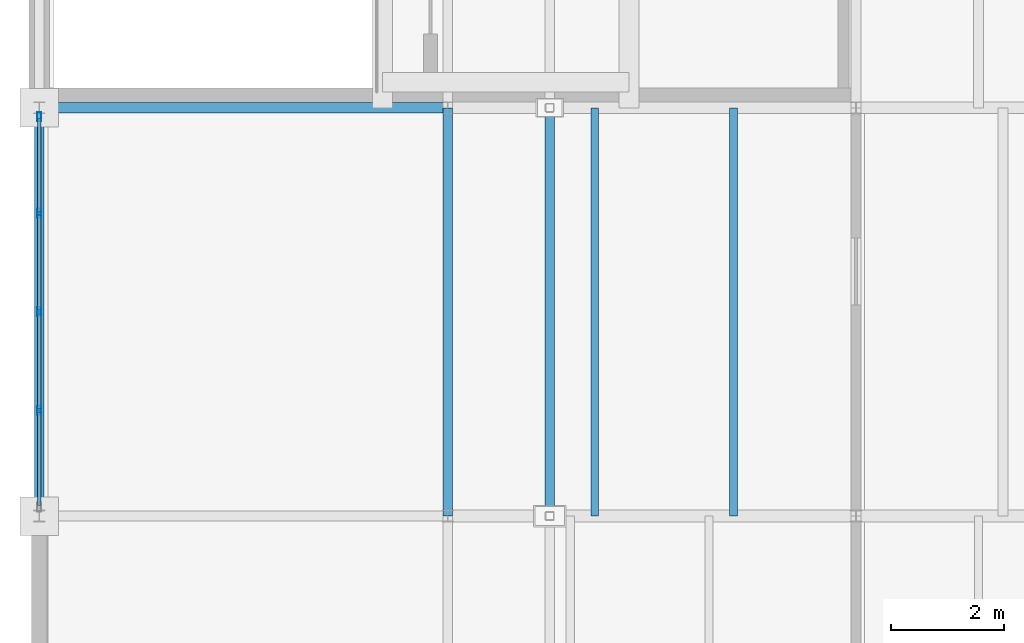
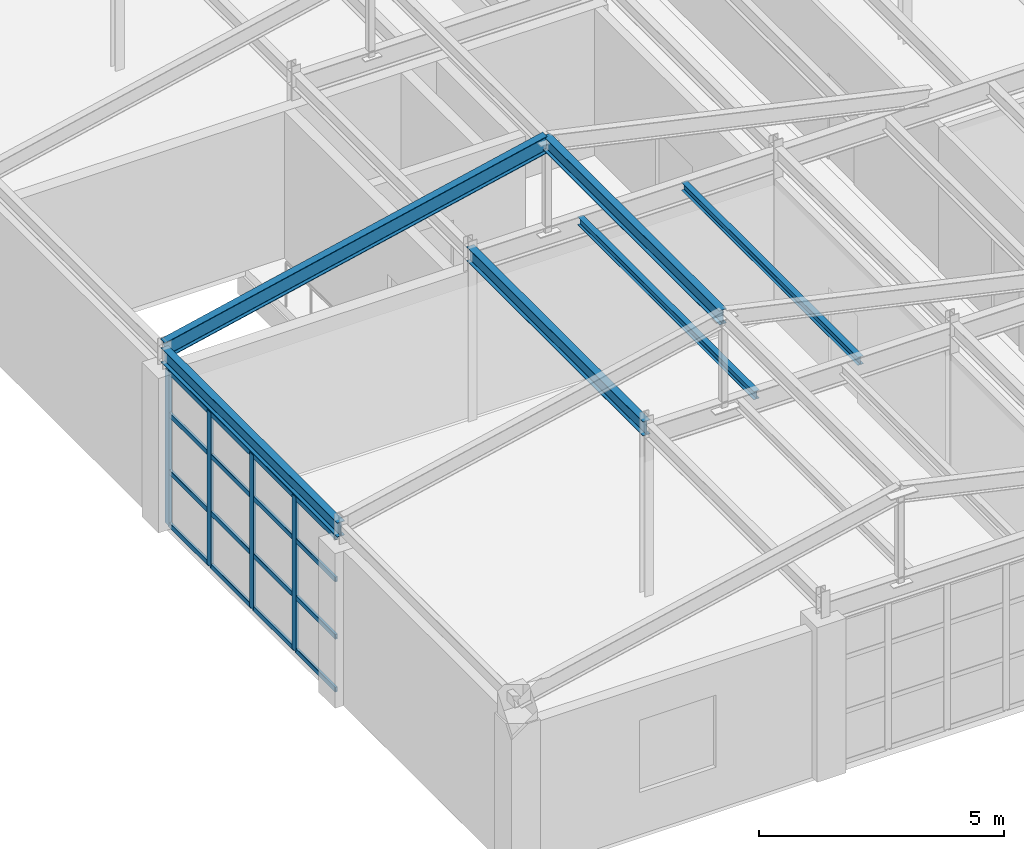
# One storey, part 10 of 43: 20 members, 6 beams, 1 element without a shape of its own.
"""IFC4 building model written with IfcOpenShell, lengths in metres."""

from ifc_helpers import new_model, si_unit, direction, frame, origin, origin_2d, place, context, subcontext, project, spatial, hollow_rectangle, i_section, extrude, material, layer, layer_set, material_profile, profile_set, type_object, element, aggregate, save


model = new_model("IFC4")

# Units and contexts
model_context = context("Model", 3, precision=1e-05, world=origin(), true_north=direction((0.0, 1.0)))
body_context = subcontext(model_context, "Body", "Model", "MODEL_VIEW")
ifc_project = project(units=[si_unit("LENGTHUNIT", "METRE"), si_unit("AREAUNIT", "SQUARE_METRE"), si_unit("VOLUMEUNIT", "CUBIC_METRE"), si_unit("PLANEANGLEUNIT", "RADIAN"), si_unit("MASSUNIT", "GRAM", prefix="KILO")], contexts=[model_context])

# Site, building, storey
site_placement = place(None, origin())
site = spatial("IfcSite", under=ifc_project, at=site_placement, CompositionType="ELEMENT")
building_placement = place(site_placement, origin())
building = spatial("IfcBuilding", under=site, at=building_placement, Name="Kemerveld Promenade Tramway Depot", CompositionType="ELEMENT")
storey_placement = place(building_placement, frame((0.0, 0.0, 18.89990234375)))
storey = spatial("IfcBuildingStorey", under=building, at=storey_placement, Name="L04", CompositionType="ELEMENT", Elevation=18.89990234375)

# Beams
ifc_material_1 = material(Name="Steel S355", Category="steel")
ifc_material_profile_1 = material_profile(ifc_material_1, i_section(OverallWidth=0.1787109375, OverallDepth=0.409423828125, WebThickness=0.0087890625, FlangeThickness=0.014404296875, FilletRadius=0.01025390625, at=origin_2d()), Name="406x178x67 UB")
ifc_profile_set_1 = profile_set([ifc_material_profile_1], Name="Steel S355")
beam_type_1 = type_object("IfcBeamType", Name="BM-G07", PredefinedType="BEAM", material=ifc_profile_set_1)
beam_placement = place(storey_placement, frame((0.0, 14.39990234375, 4.275390625), z_axis=(0.976187060184, 0.0, 0.216930457819), x_axis=(0.0, 1.0, 0.0)))
element("IfcBeam", 1, at=beam_placement, inside=storey, type_object=beam_type_1, Name="RAF-V5-C-W", PredefinedType="BEAM", context=body_context, shape_type="SweptSolid", body=[
    extrude(i_section(OverallWidth=0.1787109375, OverallDepth=0.409423828125, WebThickness=0.0087890625, FlangeThickness=0.014404296875, FilletRadius=0.01025390625, at=origin_2d()), origin(), (0.0, 0.0, 1.0), 9.219482421875),
])
ifc_material_profile_2 = material_profile(ifc_material_1, i_section(OverallWidth=0.172119140625, OverallDepth=0.35791015625, WebThickness=0.008056640625, FlangeThickness=0.012939453125, FilletRadius=0.01025390625, at=origin_2d()), Name="356x171x57 UB")
ifc_profile_set_2 = profile_set([ifc_material_profile_2], Name="Steel S355")
beam_type_2 = type_object("IfcBeamType", Name="BM-G08", PredefinedType="BEAM", material=ifc_profile_set_2)
for number, where, z_axis, x_axis, name in (
    (2, (0.0, 7.199951171875, 4.14111328125), (0.0, 1.0, 0.0), (-1.0, 0.0, 0.0), "BMY-L04-01-B-C"),
    (3, (7.199951171875, 7.199951171875, 4.14111328125), (0.0, 1.0, 0.0), (-1.0, 0.0, 0.0), "BMY-L04-02-B-C"),
    (4, (9.0, 7.199951171875, 6.275390625), (0.0, 1.0, 0.0), (-1.0, 0.0, 0.0), "BM-RDG-V5-2"),
):
    element("IfcBeam", number, at=place(storey_placement, frame(where, z_axis=z_axis, x_axis=x_axis)), inside=storey, type_object=beam_type_2, Name=name, PredefinedType="BEAM", context=body_context, shape_type="SweptSolid", body=[
        extrude(i_section(OverallWidth=0.172119140625, OverallDepth=0.35791015625, WebThickness=0.008056640625, FlangeThickness=0.012939453125, FilletRadius=0.01025390625, at=origin_2d()), origin(), (0.0, 0.0, 1.0), 7.199951171875),
    ])
ifc_material_profile_3 = material_profile(ifc_material_1, i_section(OverallWidth=0.13330078125, OverallDepth=0.203125, WebThickness=0.005615234375, FlangeThickness=0.0078125, FilletRadius=0.007568359375, at=origin_2d()), Name="203x133x25 UB")
ifc_profile_set_3 = profile_set([ifc_material_profile_3], Name="Steel S355")
beam_type_3 = type_object("IfcBeamType", Name="BM-J03", PredefinedType="JOIST", material=ifc_profile_set_3)
for number, where, z_axis, x_axis, name in (
    (5, (9.7919921875, 7.199951171875, 4.053466796875), (0.0, 1.0, 0.0), (-1.0, 0.0, 0.0), "JST-L04-02-B-1"),
    (6, (12.239990234375, 7.199951171875, 4.053466796875), (0.0, 1.0, 0.0), (-1.0, 0.0, 0.0), "JST-L04-02-B-2"),
):
    element("IfcBeam", number, at=place(storey_placement, frame(where, z_axis=z_axis, x_axis=x_axis)), inside=storey, type_object=beam_type_3, Name=name, PredefinedType="JOIST", context=body_context, shape_type="SweptSolid", body=[
        extrude(i_section(OverallWidth=0.13330078125, OverallDepth=0.203125, WebThickness=0.005615234375, FlangeThickness=0.0078125, FilletRadius=0.007568359375, at=origin_2d()), origin(), (0.0, 0.0, 1.0), 7.199951171875),
    ])

# Curtain wall, members
ifc_material_2 = material(Name="Bronze anodised aluminium and solar glass", Category="aluminium")
ifc_layer = layer(ifc_material_2, 0.159912109375)
ifc_layer_set = layer_set([ifc_layer], Name="CW-SYS-05")
curtain_wall_type = type_object("IfcCurtainWallType", Name="CW-SYS-05", PredefinedType="USERDEFINED", material=ifc_layer_set)
curtain_wall_placement = place(storey_placement, origin())
curtain_wall = element("IfcCurtainWall", 7, at=curtain_wall_placement, inside=storey, type_object=curtain_wall_type, Name="CW-L04-V5W-02", ObjectType="GLAZED_CURTAIN_WALL", PredefinedType="USERDEFINED")
ifc_material_3 = material(Name="Bronze anodised aluminium", Category="aluminium")
ifc_material_profile_4 = material_profile(ifc_material_3, hollow_rectangle(XDim=0.06494140625, YDim=0.159912109375, WallThickness=0.00390625, InnerFilletRadius=0.001953125, OuterFilletRadius=0.00390625, at=origin_2d()), Name="CW-MUL-160x65")
ifc_profile_set_4 = profile_set([ifc_material_profile_4], Name="Bronze anodised aluminium")
member_type_1 = type_object("IfcMemberType", Name="CW-MUL-A", PredefinedType="MULLION", material=ifc_profile_set_4)
member_1_placement = place(storey_placement, frame((0.0, 9.0625, 0.0), z_axis=(0.0, 0.0, 1.0), x_axis=(-1.0, 0.0, 0.0)))
member_1 = element("IfcMember", 8, at=member_1_placement, type_object=member_type_1, Name="CW05 mullion 2", PredefinedType="MULLION", context=body_context, shape_type="SweptSolid", body=[
    extrude(hollow_rectangle(XDim=0.06494140625, YDim=0.159912109375, WallThickness=0.00390625, InnerFilletRadius=0.001953125, OuterFilletRadius=0.00390625, at=origin_2d()), origin(), (0.0, 0.0, 1.0), 3.85009765625),
])
member_2_placement = place(storey_placement, frame((0.0, 10.800048828125, 0.0), z_axis=(0.0, 0.0, 1.0), x_axis=(-1.0, 0.0, 0.0)))
member_2 = element("IfcMember", 9, at=member_2_placement, type_object=member_type_1, Name="CW05 mullion 3", PredefinedType="MULLION", context=body_context, shape_type="SweptSolid", body=[
    extrude(hollow_rectangle(XDim=0.06494140625, YDim=0.159912109375, WallThickness=0.00390625, InnerFilletRadius=0.001953125, OuterFilletRadius=0.00390625, at=origin_2d()), origin(), (0.0, 0.0, 1.0), 3.85009765625),
])
member_3_placement = place(storey_placement, frame((0.0, 12.53759765625, 0.0), z_axis=(0.0, 0.0, 1.0), x_axis=(-1.0, 0.0, 0.0)))
member_3 = element("IfcMember", 10, at=member_3_placement, type_object=member_type_1, Name="CW05 mullion 4", PredefinedType="MULLION", context=body_context, shape_type="SweptSolid", body=[
    extrude(hollow_rectangle(XDim=0.06494140625, YDim=0.159912109375, WallThickness=0.00390625, InnerFilletRadius=0.001953125, OuterFilletRadius=0.00390625, at=origin_2d()), origin(), (0.0, 0.0, 1.0), 3.85009765625),
])
member_4_placement = place(storey_placement, frame((0.0, 14.24267578125, 0.0), z_axis=(0.0, 0.0, 1.0), x_axis=(-1.0, 0.0, 0.0)))
member_4 = element("IfcMember", 11, at=member_4_placement, type_object=member_type_1, Name="CW05 mullion 5", PredefinedType="MULLION", context=body_context, shape_type="SweptSolid", body=[
    extrude(hollow_rectangle(XDim=0.06494140625, YDim=0.159912109375, WallThickness=0.00390625, InnerFilletRadius=0.001953125, OuterFilletRadius=0.00390625, at=origin_2d()), origin(), (0.0, 0.0, 1.0), 3.85009765625),
])
ifc_material_profile_5 = material_profile(ifc_material_3, hollow_rectangle(XDim=0.06005859375, YDim=0.1201171875, WallThickness=0.00390625, InnerFilletRadius=0.001953125, OuterFilletRadius=0.00390625, at=origin_2d()), Name="CW-TRN-120x60")
ifc_profile_set_5 = profile_set([ifc_material_profile_5], Name="Bronze anodised aluminium")
member_type_2 = type_object("IfcMemberType", Name="CW-TRN-A", PredefinedType="USERDEFINED", material=ifc_profile_set_5)
member_5_placement = place(storey_placement, frame((0.0, 7.389892578125, 0.030029296875), z_axis=(0.0, 1.0, 0.0), x_axis=(-1.0, 0.0, 0.0)))
member_5 = element("IfcMember", 12, at=member_5_placement, type_object=member_type_2, Name="CW05 transom 1.1", ObjectType="TRANSOM", PredefinedType="USERDEFINED", context=body_context, shape_type="SweptSolid", body=[
    extrude(hollow_rectangle(XDim=0.06005859375, YDim=0.1201171875, WallThickness=0.00390625, InnerFilletRadius=0.001953125, OuterFilletRadius=0.00390625, at=origin_2d()), origin(), (0.0, 0.0, 1.0), 1.639892578125),
])
member_6_placement = place(storey_placement, frame((0.0, 7.389892578125, 1.34716796875), z_axis=(0.0, 1.0, 0.0), x_axis=(-1.0, 0.0, 0.0)))
member_6 = element("IfcMember", 13, at=member_6_placement, type_object=member_type_2, Name="CW05 transom 1.2", ObjectType="TRANSOM", PredefinedType="USERDEFINED", context=body_context, shape_type="SweptSolid", body=[
    extrude(hollow_rectangle(XDim=0.06005859375, YDim=0.1201171875, WallThickness=0.00390625, InnerFilletRadius=0.001953125, OuterFilletRadius=0.00390625, at=origin_2d()), origin(), (0.0, 0.0, 1.0), 1.639892578125),
])
member_7_placement = place(storey_placement, frame((0.0, 7.389892578125, 2.772216796875), z_axis=(0.0, 1.0, 0.0), x_axis=(-1.0, 0.0, 0.0)))
member_7 = element("IfcMember", 14, at=member_7_placement, type_object=member_type_2, Name="CW05 transom 1.3", ObjectType="TRANSOM", PredefinedType="USERDEFINED", context=body_context, shape_type="SweptSolid", body=[
    extrude(hollow_rectangle(XDim=0.06005859375, YDim=0.1201171875, WallThickness=0.00390625, InnerFilletRadius=0.001953125, OuterFilletRadius=0.00390625, at=origin_2d()), origin(), (0.0, 0.0, 1.0), 1.639892578125),
])
member_8_placement = place(storey_placement, frame((0.0, 7.389892578125, 3.820068359375), z_axis=(0.0, 1.0, 0.0), x_axis=(-1.0, 0.0, 0.0)))
member_8 = element("IfcMember", 15, at=member_8_placement, type_object=member_type_2, Name="CW05 transom 1.4", ObjectType="TRANSOM", PredefinedType="USERDEFINED", context=body_context, shape_type="SweptSolid", body=[
    extrude(hollow_rectangle(XDim=0.06005859375, YDim=0.1201171875, WallThickness=0.00390625, InnerFilletRadius=0.001953125, OuterFilletRadius=0.00390625, at=origin_2d()), origin(), (0.0, 0.0, 1.0), 1.639892578125),
])
member_9_placement = place(storey_placement, frame((0.0, 9.094970703125, 0.030029296875), z_axis=(0.0, 1.0, 0.0), x_axis=(-1.0, 0.0, 0.0)))
member_9 = element("IfcMember", 16, at=member_9_placement, type_object=member_type_2, Name="CW05 transom 2.1", ObjectType="TRANSOM", PredefinedType="USERDEFINED", context=body_context, shape_type="SweptSolid", body=[
    extrude(hollow_rectangle(XDim=0.06005859375, YDim=0.1201171875, WallThickness=0.00390625, InnerFilletRadius=0.001953125, OuterFilletRadius=0.00390625, at=origin_2d()), origin(), (0.0, 0.0, 1.0), 1.672607421875),
])
member_10_placement = place(storey_placement, frame((0.0, 9.094970703125, 1.34716796875), z_axis=(0.0, 1.0, 0.0), x_axis=(-1.0, 0.0, 0.0)))
member_10 = element("IfcMember", 17, at=member_10_placement, type_object=member_type_2, Name="CW05 transom 2.2", ObjectType="TRANSOM", PredefinedType="USERDEFINED", context=body_context, shape_type="SweptSolid", body=[
    extrude(hollow_rectangle(XDim=0.06005859375, YDim=0.1201171875, WallThickness=0.00390625, InnerFilletRadius=0.001953125, OuterFilletRadius=0.00390625, at=origin_2d()), origin(), (0.0, 0.0, 1.0), 1.672607421875),
])
member_11_placement = place(storey_placement, frame((0.0, 9.094970703125, 2.772216796875), z_axis=(0.0, 1.0, 0.0), x_axis=(-1.0, 0.0, 0.0)))
member_11 = element("IfcMember", 18, at=member_11_placement, type_object=member_type_2, Name="CW05 transom 2.3", ObjectType="TRANSOM", PredefinedType="USERDEFINED", context=body_context, shape_type="SweptSolid", body=[
    extrude(hollow_rectangle(XDim=0.06005859375, YDim=0.1201171875, WallThickness=0.00390625, InnerFilletRadius=0.001953125, OuterFilletRadius=0.00390625, at=origin_2d()), origin(), (0.0, 0.0, 1.0), 1.672607421875),
])
member_12_placement = place(storey_placement, frame((0.0, 9.094970703125, 3.820068359375), z_axis=(0.0, 1.0, 0.0), x_axis=(-1.0, 0.0, 0.0)))
member_12 = element("IfcMember", 19, at=member_12_placement, type_object=member_type_2, Name="CW05 transom 2.4", ObjectType="TRANSOM", PredefinedType="USERDEFINED", context=body_context, shape_type="SweptSolid", body=[
    extrude(hollow_rectangle(XDim=0.06005859375, YDim=0.1201171875, WallThickness=0.00390625, InnerFilletRadius=0.001953125, OuterFilletRadius=0.00390625, at=origin_2d()), origin(), (0.0, 0.0, 1.0), 1.672607421875),
])
member_13_placement = place(storey_placement, frame((0.0, 10.83251953125, 0.030029296875), z_axis=(0.0, 1.0, 0.0), x_axis=(-1.0, 0.0, 0.0)))
member_13 = element("IfcMember", 20, at=member_13_placement, type_object=member_type_2, Name="CW05 transom 3.1", ObjectType="TRANSOM", PredefinedType="USERDEFINED", context=body_context, shape_type="SweptSolid", body=[
    extrude(hollow_rectangle(XDim=0.06005859375, YDim=0.1201171875, WallThickness=0.00390625, InnerFilletRadius=0.001953125, OuterFilletRadius=0.00390625, at=origin_2d()), origin(), (0.0, 0.0, 1.0), 1.672607421875),
])
member_14_placement = place(storey_placement, frame((0.0, 10.83251953125, 1.34716796875), z_axis=(0.0, 1.0, 0.0), x_axis=(-1.0, 0.0, 0.0)))
member_14 = element("IfcMember", 21, at=member_14_placement, type_object=member_type_2, Name="CW05 transom 3.2", ObjectType="TRANSOM", PredefinedType="USERDEFINED", context=body_context, shape_type="SweptSolid", body=[
    extrude(hollow_rectangle(XDim=0.06005859375, YDim=0.1201171875, WallThickness=0.00390625, InnerFilletRadius=0.001953125, OuterFilletRadius=0.00390625, at=origin_2d()), origin(), (0.0, 0.0, 1.0), 1.672607421875),
])
member_15_placement = place(storey_placement, frame((0.0, 10.83251953125, 2.772216796875), z_axis=(0.0, 1.0, 0.0), x_axis=(-1.0, 0.0, 0.0)))
member_15 = element("IfcMember", 22, at=member_15_placement, type_object=member_type_2, Name="CW05 transom 3.3", ObjectType="TRANSOM", PredefinedType="USERDEFINED", context=body_context, shape_type="SweptSolid", body=[
    extrude(hollow_rectangle(XDim=0.06005859375, YDim=0.1201171875, WallThickness=0.00390625, InnerFilletRadius=0.001953125, OuterFilletRadius=0.00390625, at=origin_2d()), origin(), (0.0, 0.0, 1.0), 1.672607421875),
])
member_16_placement = place(storey_placement, frame((0.0, 10.83251953125, 3.820068359375), z_axis=(0.0, 1.0, 0.0), x_axis=(-1.0, 0.0, 0.0)))
member_16 = element("IfcMember", 23, at=member_16_placement, type_object=member_type_2, Name="CW05 transom 3.4", ObjectType="TRANSOM", PredefinedType="USERDEFINED", context=body_context, shape_type="SweptSolid", body=[
    extrude(hollow_rectangle(XDim=0.06005859375, YDim=0.1201171875, WallThickness=0.00390625, InnerFilletRadius=0.001953125, OuterFilletRadius=0.00390625, at=origin_2d()), origin(), (0.0, 0.0, 1.0), 1.672607421875),
])
member_17_placement = place(storey_placement, frame((0.0, 12.570068359375, 0.030029296875), z_axis=(0.0, 1.0, 0.0), x_axis=(-1.0, 0.0, 0.0)))
member_17 = element("IfcMember", 24, at=member_17_placement, type_object=member_type_2, Name="CW05 transom 4.1", ObjectType="TRANSOM", PredefinedType="USERDEFINED", context=body_context, shape_type="SweptSolid", body=[
    extrude(hollow_rectangle(XDim=0.06005859375, YDim=0.1201171875, WallThickness=0.00390625, InnerFilletRadius=0.001953125, OuterFilletRadius=0.00390625, at=origin_2d()), origin(), (0.0, 0.0, 1.0), 1.64013671875),
])
member_18_placement = place(storey_placement, frame((0.0, 12.570068359375, 1.34716796875), z_axis=(0.0, 1.0, 0.0), x_axis=(-1.0, 0.0, 0.0)))
member_18 = element("IfcMember", 25, at=member_18_placement, type_object=member_type_2, Name="CW05 transom 4.2", ObjectType="TRANSOM", PredefinedType="USERDEFINED", context=body_context, shape_type="SweptSolid", body=[
    extrude(hollow_rectangle(XDim=0.06005859375, YDim=0.1201171875, WallThickness=0.00390625, InnerFilletRadius=0.001953125, OuterFilletRadius=0.00390625, at=origin_2d()), origin(), (0.0, 0.0, 1.0), 1.64013671875),
])
member_19_placement = place(storey_placement, frame((0.0, 12.570068359375, 2.772216796875), z_axis=(0.0, 1.0, 0.0), x_axis=(-1.0, 0.0, 0.0)))
member_19 = element("IfcMember", 26, at=member_19_placement, type_object=member_type_2, Name="CW05 transom 4.3", ObjectType="TRANSOM", PredefinedType="USERDEFINED", context=body_context, shape_type="SweptSolid", body=[
    extrude(hollow_rectangle(XDim=0.06005859375, YDim=0.1201171875, WallThickness=0.00390625, InnerFilletRadius=0.001953125, OuterFilletRadius=0.00390625, at=origin_2d()), origin(), (0.0, 0.0, 1.0), 1.64013671875),
])
member_20_placement = place(storey_placement, frame((0.0, 12.570068359375, 3.820068359375), z_axis=(0.0, 1.0, 0.0), x_axis=(-1.0, 0.0, 0.0)))
member_20 = element("IfcMember", 27, at=member_20_placement, type_object=member_type_2, Name="CW05 transom 4.4", ObjectType="TRANSOM", PredefinedType="USERDEFINED", context=body_context, shape_type="SweptSolid", body=[
    extrude(hollow_rectangle(XDim=0.06005859375, YDim=0.1201171875, WallThickness=0.00390625, InnerFilletRadius=0.001953125, OuterFilletRadius=0.00390625, at=origin_2d()), origin(), (0.0, 0.0, 1.0), 1.64013671875),
])
aggregate(curtain_wall, [member_1, member_2, member_3, member_4, member_5, member_6, member_7, member_8, member_9, member_10, member_11, member_12, member_13, member_14, member_15, member_16, member_17, member_18, member_19, member_20])

save(model, "model.ifc")
